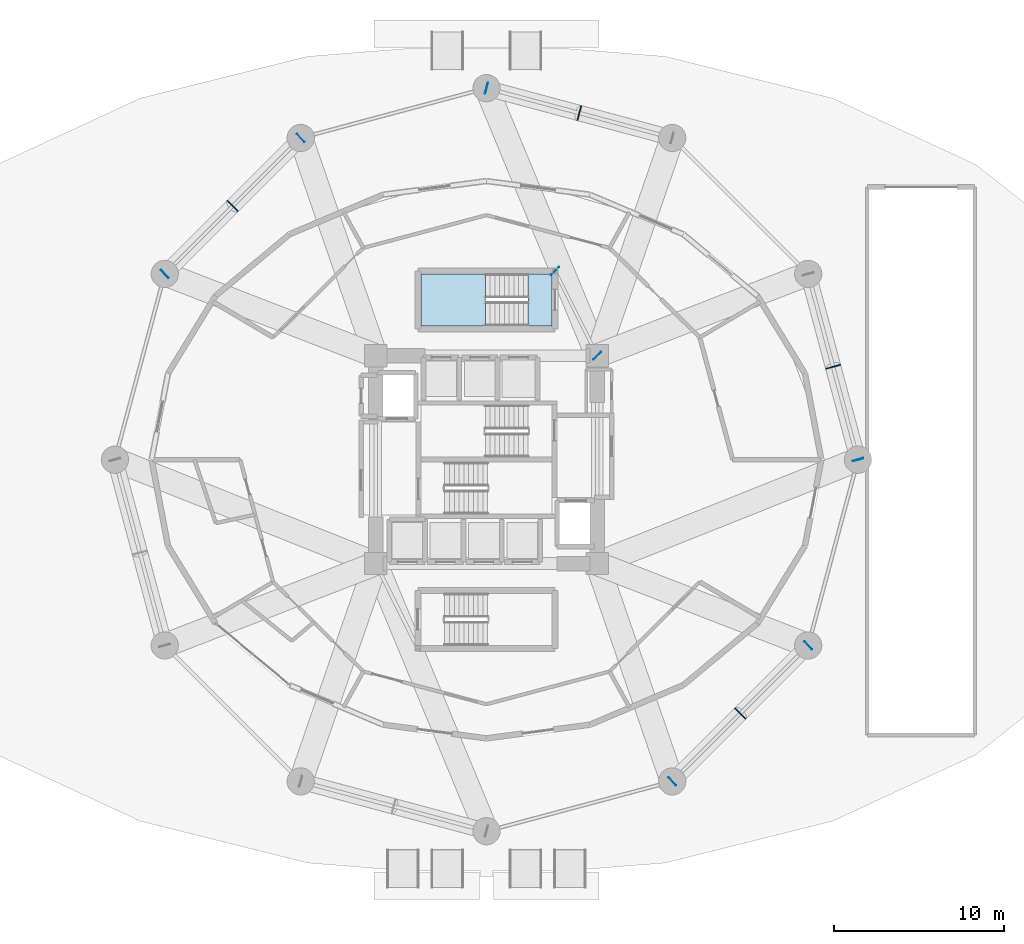
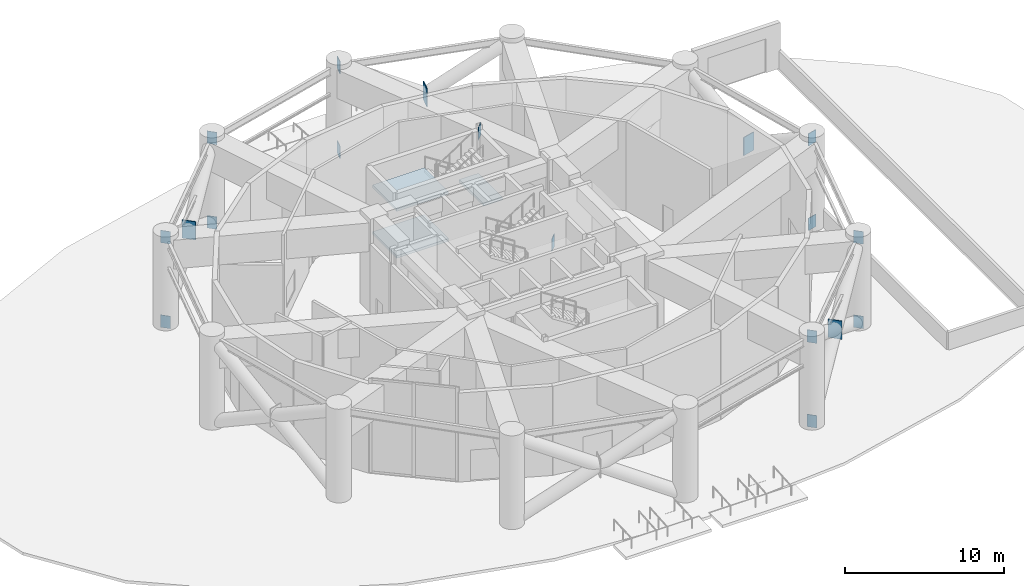
# One storey, part 8 of 16: 18 plates, 3 slabs, 1 element without a shape of its own.
"""IFC4 building model written with IfcOpenShell, lengths in metres."""

from ifc_helpers import new_model, si_unit, direction, frame, origin, origin_2d, place, context, subcontext, project, spatial, polyline, rectangle, outline, extrude, material, layer, layer_set, type_object, element, aggregate, save


model = new_model("IFC4")

# Units and contexts
model_context = context("Model", 3, precision=1e-05, world=origin(), true_north=direction((0.0, 1.0)))
body_context = subcontext(model_context, "Body", "Model", "MODEL_VIEW")
ifc_project = project(units=[si_unit("LENGTHUNIT", "METRE"), si_unit("AREAUNIT", "SQUARE_METRE"), si_unit("VOLUMEUNIT", "CUBIC_METRE"), si_unit("PLANEANGLEUNIT", "RADIAN"), si_unit("MASSUNIT", "GRAM", prefix="KILO")], contexts=[model_context])

# Site, building, storey
site_placement = place(None, origin())
site = spatial("IfcSite", under=ifc_project, at=site_placement, CompositionType="ELEMENT")
building_placement = place(site_placement, origin())
building = spatial("IfcBuilding", under=site, at=building_placement, Name="Solvirekh Grand Hotel", CompositionType="ELEMENT")
storey_placement = place(building_placement, origin())
storey = spatial("IfcBuildingStorey", under=building, at=storey_placement, Name="L00", CompositionType="ELEMENT", Elevation=0.0)

# Plates
ifc_material_1 = material(Name="Steel S460", Category="steel")
ifc_layer_1 = layer(ifc_material_1, 0.06005859375)
ifc_layer_set_1 = layer_set([ifc_layer_1], Name="Steel S460")
plate_type_1 = type_object("IfcPlateType", Name="GussetPlate_60", PredefinedType="USERDEFINED", material=ifc_layer_set_1)
for number, where, z_axis, x_axis, name in (
    (1, (20.340087890625, 5.449951171875, 2.699951171875), (0.0, 0.0, 1.0), (-0.258819045103, 0.965925826289, 0.0), "L00 hollow-section node plate GP-L00-STILT-01"),
    (2, (5.449951171875, 20.340087890625, 2.699951171875), (0.0, 0.0, 1.0), (-0.965925826289, 0.258819045103, 0.0), "L00 hollow-section node plate GP-L00-STILT-03"),
    (3, (-14.889892578125, 14.889892578125, 2.699951171875), (0.0, 0.0, 1.0), (-0.707106781187, -0.707106781187, 0.0), "L00 hollow-section node plate GP-L00-STILT-05"),
    (4, (14.889892578125, -14.889892578125, 2.699951171875), (0.0, 0.0, 1.0), (0.707106781187, 0.707106781187, 0.0), "L00 hollow-section node plate GP-L00-STILT-11"),
):
    element("IfcPlate", number, at=place(storey_placement, frame(where, z_axis=z_axis, x_axis=x_axis)), inside=storey, type_object=plate_type_1, Name=name, ObjectType="GUSSET PLATE", PredefinedType="USERDEFINED", context=body_context, shape_type="SweptSolid", body=[
        extrude(rectangle(XDim=0.06005859375, YDim=0.89990234375, at=origin_2d()), origin(), (0.0, 0.0, 1.0), 1.39990234375),
    ])

# Stair, slabs
ifc_material_2 = material(Name="Steel S355", Category="steel")
stair_type = type_object("IfcStairType", Name="Stair_Grand_2000", PredefinedType="STRAIGHT_RUN_STAIR", material=ifc_material_2)
stair_placement = place(storey_placement, origin())
stair = element("IfcStair", 5, at=stair_placement, inside=storey, type_object=stair_type, Name="L00 Enclosed exit stair ST-4", PredefinedType="STRAIGHT_RUN_STAIR")
ifc_material_3 = material(Name="Concrete C40/50", Category="concrete")
ifc_layer_2 = layer(ifc_material_3, 0.219970703125)
ifc_layer_set_2 = layer_set([ifc_layer_2], Name="Concrete C40/50")
slab_type = type_object("IfcSlabType", Name="Landing_PodStair_220", PredefinedType="LANDING", material=ifc_layer_set_2)
slab_1_placement = place(storey_placement, frame((0.0, 0.0, 1.60009765625)))
slab_1 = element("IfcSlab", 6, at=slab_1_placement, type_object=slab_type, Name="ST-4 landing 1", PredefinedType="LANDING", context=body_context, shape_type="SweptSolid", body=[
    extrude(outline(polyline([(-0.070068359375, 10.89990234375), (-3.85009765625, 10.89990234375), (-3.85009765625, 7.85009765625), (-0.070068359375, 7.85009765625), (-0.070068359375, 10.89990234375)])), origin(), (0.0, 0.0, 1.0), 0.199951171875),
])
slab_2_placement = place(storey_placement, frame((0.0, 0.0, 3.39990234375)))
slab_2 = element("IfcSlab", 7, at=slab_2_placement, type_object=slab_type, Name="ST-4 landing 2", PredefinedType="LANDING", context=body_context, shape_type="SweptSolid", body=[
    extrude(outline(polyline([(3.85009765625, 10.89990234375), (2.449951171875, 10.89990234375), (2.449951171875, 7.85009765625), (3.85009765625, 7.85009765625), (3.85009765625, 10.89990234375)])), origin(), (0.0, 0.0, 1.0), 0.2001953125),
])
slab_3_placement = place(storey_placement, frame((0.0, 0.0, 5.199951171875)))
slab_3 = element("IfcSlab", 8, at=slab_3_placement, type_object=slab_type, Name="ST-4 landing 3", PredefinedType="LANDING", context=body_context, shape_type="SweptSolid", body=[
    extrude(outline(polyline([(-0.070068359375, 10.89990234375), (-3.85009765625, 10.89990234375), (-3.85009765625, 7.85009765625), (-0.070068359375, 7.85009765625), (-0.070068359375, 10.89990234375)])), origin(), (0.0, 0.0, 1.0), 0.199951171875),
])
aggregate(stair, [slab_1, slab_2, slab_3])

# Plates
ifc_layer_3 = layer(ifc_material_2, 0.0400390625)
ifc_layer_set_3 = layer_set([ifc_layer_3], Name="Steel S355")
plate_type_2 = type_object("IfcPlateType", Name="NodeCapPlate_40", PredefinedType="SHEET", material=ifc_layer_set_3)
for number, where, z_axis, x_axis, name in (
    (9, (21.800048828125, 0.0, -0.3251953125), (0.0, 0.0, 1.0), (-0.258819045103, 0.965925826289, 0.0), "L00 hollow-section node plate NP-L00-STILT-01-A0"),
    (10, (21.800048828125, 0.0, 6.1748046875), (0.0, 0.0, 1.0), (-0.258819045103, 0.965925826289, 0.0), "L00 hollow-section node plate NP-L00-STILT-01-B1"),
    (11, (0.0, 21.800048828125, 6.1748046875), (0.0, 0.0, 1.0), (-0.965925826289, 0.258819045103, 0.0), "L00 hollow-section node plate NP-L00-STILT-03-A1"),
    (12, (0.0, 21.800048828125, -0.3251953125), (0.0, 0.0, 1.0), (-0.965925826289, 0.258819045103, 0.0), "L00 hollow-section node plate NP-L00-STILT-03-B0"),
    (13, (-10.89990234375, 18.87890625, -0.3251953125), (0.0, 0.0, 1.0), (-0.707106781187, -0.707106781187, 0.0), "L00 hollow-section node plate NP-L00-STILT-05-A0"),
    (14, (-18.87890625, 10.89990234375, 6.1748046875), (0.0, 0.0, 1.0), (-0.707106781187, -0.707106781187, 0.0), "L00 hollow-section node plate NP-L00-STILT-05-A1"),
    (15, (-18.87890625, 10.89990234375, -0.3251953125), (0.0, 0.0, 1.0), (-0.707106781187, -0.707106781187, 0.0), "L00 hollow-section node plate NP-L00-STILT-05-B0"),
    (16, (-10.89990234375, 18.87890625, 6.1748046875), (0.0, 0.0, 1.0), (-0.707106781187, -0.707106781187, 0.0), "L00 hollow-section node plate NP-L00-STILT-05-B1"),
    (17, (10.89990234375, -18.87890625, -0.3251953125), (0.0, 0.0, 1.0), (0.707106781187, 0.707106781187, 0.0), "L00 hollow-section node plate NP-L00-STILT-11-A0"),
    (18, (18.87890625, -10.89990234375, 6.1748046875), (0.0, 0.0, 1.0), (0.707106781187, 0.707106781187, 0.0), "L00 hollow-section node plate NP-L00-STILT-11-A1"),
    (19, (18.87890625, -10.89990234375, -0.3251953125), (0.0, 0.0, 1.0), (0.707106781187, 0.707106781187, 0.0), "L00 hollow-section node plate NP-L00-STILT-11-B0"),
    (20, (10.89990234375, -18.87890625, 6.1748046875), (0.0, 0.0, 1.0), (0.707106781187, 0.707106781187, 0.0), "L00 hollow-section node plate NP-L00-STILT-11-B1"),
    (21, (6.5, 6.10009765625, -0.22509765625), (0.0, 0.0, 1.0), (-0.707106781187, 0.707106781187, 0.0), "L00 hollow-section node plate NP-L00-SG4A"),
    (22, (4.02490234375, 11.074951171875, 6.1748046875), (0.0, 0.0, 1.0), (-0.707106781187, 0.707106781187, 0.0), "L00 hollow-section node plate NP-L00-SG4B"),
):
    element("IfcPlate", number, at=place(storey_placement, frame(where, z_axis=z_axis, x_axis=x_axis)), inside=storey, type_object=plate_type_2, Name=name, PredefinedType="SHEET", context=body_context, shape_type="SweptSolid", body=[
        extrude(rectangle(XDim=0.0400390625, YDim=0.64990234375, at=origin_2d()), origin(), (0.0, 0.0, 1.0), 0.949951171875),
    ])

save(model, "model.ifc")
